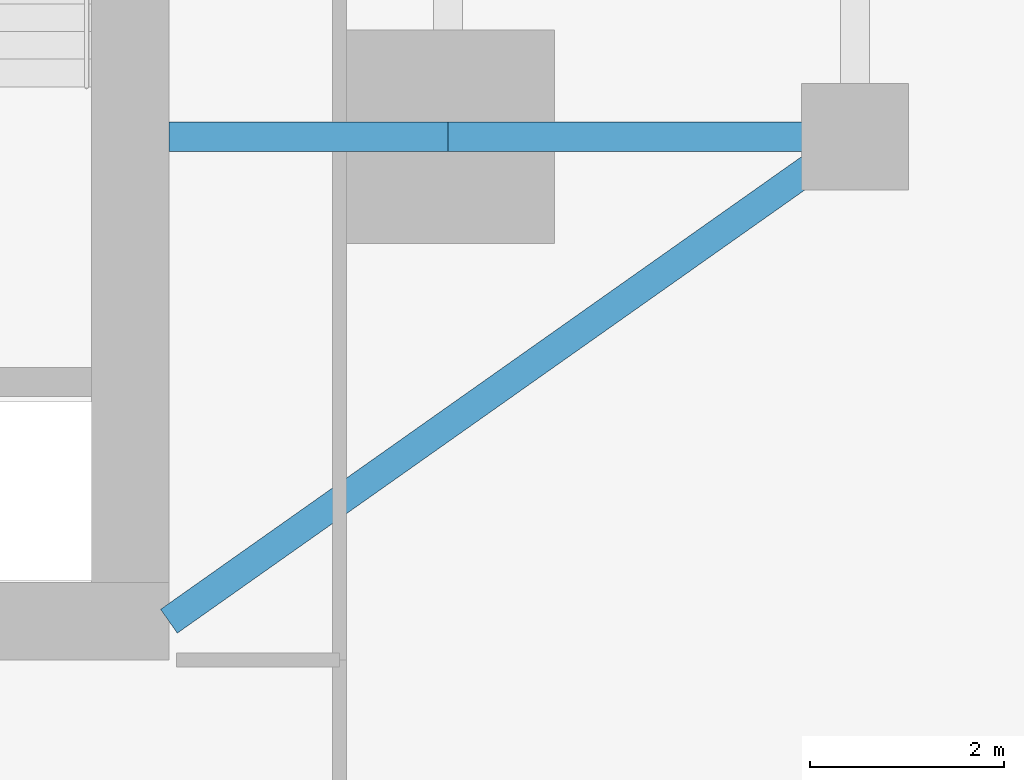
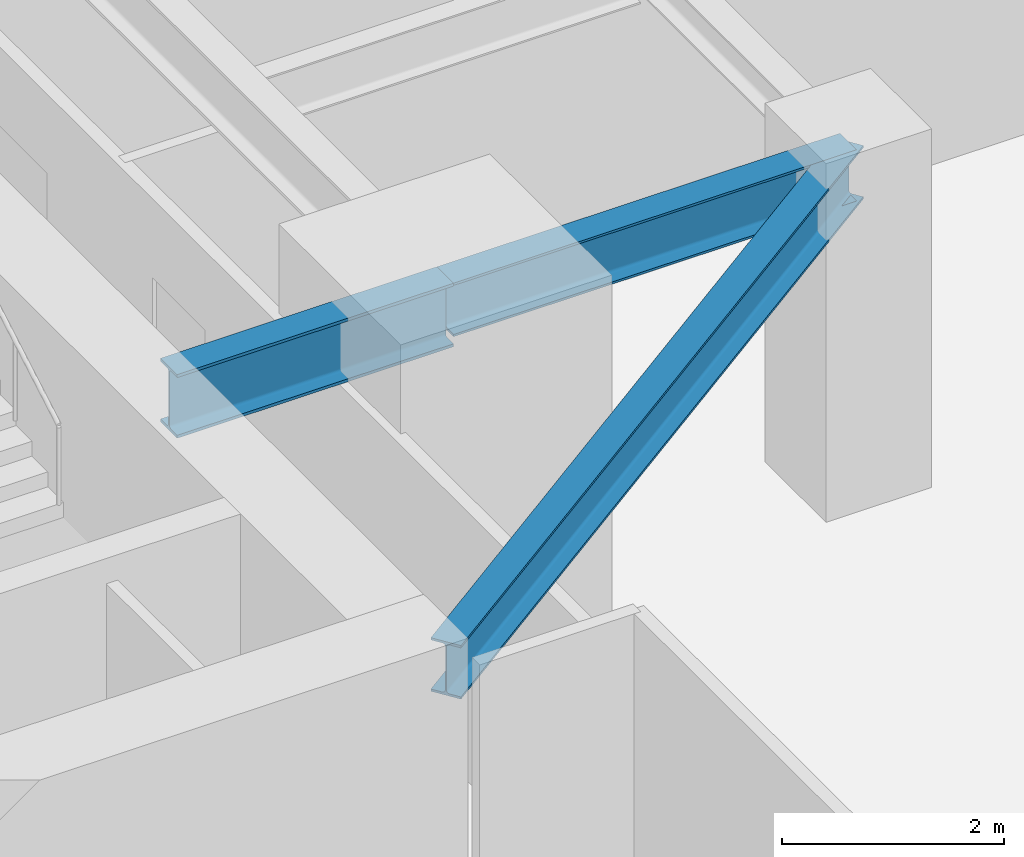
# One storey, part 13 of 30: 3 beams.
"""IFC4 building model written with IfcOpenShell, lengths in metres."""

from ifc_helpers import new_model, si_unit, direction, frame, origin, origin_2d, place, context, subcontext, project, spatial, i_section, extrude, source, transform, mapped, material, material_profile, profile_set, type_object, type_shapes, element, save


model = new_model("IFC4")

# Units and contexts
model_context = context("Model", 3, precision=1e-05, world=origin(), true_north=direction((0.0, 1.0)))
body_context = subcontext(model_context, "Body", "Model", "MODEL_VIEW")
ifc_project = project(units=[si_unit("LENGTHUNIT", "METRE"), si_unit("AREAUNIT", "SQUARE_METRE"), si_unit("VOLUMEUNIT", "CUBIC_METRE"), si_unit("PLANEANGLEUNIT", "RADIAN"), si_unit("MASSUNIT", "GRAM", prefix="KILO")], contexts=[model_context])

# Site, building, storey
site_placement = place(None, origin())
site = spatial("IfcSite", under=ifc_project, at=site_placement, CompositionType="ELEMENT")
building_placement = place(site_placement, origin())
building = spatial("IfcBuilding", under=site, at=building_placement, Name="Krantzveldt Concourse Tower", CompositionType="ELEMENT")
storey_placement = place(building_placement, frame((0.0, 0.0, 48.699951171875)))
storey = spatial("IfcBuildingStorey", under=building, at=storey_placement, Name="L11", CompositionType="ELEMENT", Elevation=48.699951171875)

# Beams
ifc_material_1 = material(Name="Steel S355J2", Category="steel")
ifc_material_profile_1 = material_profile(ifc_material_1, i_section(OverallWidth=0.300048828125, OverallDepth=0.699951171875, WebThickness=0.01708984375, FlangeThickness=0.031982421875, FilletRadius=0.027099609375, at=origin_2d()), Name="Steel S355J2", Category="steel")
ifc_profile_set_1 = profile_set([ifc_material_profile_1], Name="Steel S355J2 - HEB 700")
beam_type_1 = type_object("IfcBeamType", Name="BM-B-HEB700", PredefinedType="BEAM", material=ifc_profile_set_1)
shared_shape_1 = source(origin(), body_context, "Body", "SweptSolid", [
    extrude(i_section(OverallWidth=0.300048828125, OverallDepth=0.699951171875, WebThickness=0.01708984375, FlangeThickness=0.031982421875, FilletRadius=0.027099609375, at=origin_2d()), origin(), (0.0, 0.0, 1.0), 2.880126953125),
])
type_shapes(beam_type_1, [shared_shape_1])
beam_1_placement = place(storey_placement, frame((43.919921875, 15.89990234375, 3.320068359375), z_axis=(1.0, 0.0, 0.0), x_axis=(0.0, 1.0, 0.0)))
element("IfcBeam", 1, at=beam_1_placement, inside=storey, type_object=beam_type_1, Name="L11 Tower Girder BG-CE1", PredefinedType="BEAM", context=body_context, shape_type="MappedRepresentation", body=[
    mapped(shared_shape_1, transform((0.0, 0.0, 0.0), x_axis=(1.0, 0.0, 0.0), y_axis=(0.0, 1.0, 0.0), z_axis=(0.0, 0.0, 1.0), scale=1.0)),
])
ifc_material_2 = material(Name="Steel S355JR", Category="steel")
ifc_material_profile_2 = material_profile(ifc_material_2, i_section(OverallWidth=0.300048828125, OverallDepth=0.590087890625, WebThickness=0.012939453125, FlangeThickness=0.02490234375, FilletRadius=0.027099609375, at=origin_2d()), Name="Steel S355JR", Category="steel")
ifc_profile_set_2 = profile_set([ifc_material_profile_2], Name="Steel S355JR - HEA 600")
beam_type_2 = type_object("IfcBeamType", Name="BM-B-HEA600", PredefinedType="BEAM", material=ifc_profile_set_2)
shared_shape_2 = source(origin(), body_context, "Body", "SweptSolid", [
    extrude(i_section(OverallWidth=0.300048828125, OverallDepth=0.590087890625, WebThickness=0.012939453125, FlangeThickness=0.02490234375, FilletRadius=0.027099609375, at=origin_2d()), origin(), (0.0, 0.0, 1.0), 4.199951171875),
])
beam_2_placement = place(storey_placement, frame((46.800048828125, 15.89990234375, 3.375), z_axis=(1.0, 0.0, 0.0), x_axis=(0.0, 1.0, 0.0)))
element("IfcBeam", 2, at=beam_2_placement, inside=storey, type_object=beam_type_2, Name="L11 Tower Girder BR-RR1", PredefinedType="BEAM", context=body_context, shape_type="MappedRepresentation", body=[
    mapped(shared_shape_2, transform((0.0, 0.0, 0.0), x_axis=(1.0, 0.0, 0.0), y_axis=(0.0, 1.0, 0.0), z_axis=(0.0, 0.0, 1.0), scale=1.0)),
])
shared_shape_3 = source(origin(), body_context, "Body", "SweptSolid", [
    extrude(i_section(OverallWidth=0.300048828125, OverallDepth=0.590087890625, WebThickness=0.012939453125, FlangeThickness=0.02490234375, FilletRadius=0.027099609375, at=origin_2d()), origin(), (0.0, 0.0, 1.0), 8.667724609375),
])
type_shapes(beam_type_2, [shared_shape_2, shared_shape_3])
beam_3_placement = place(storey_placement, frame((51.0, 15.89990234375, 3.375), z_axis=(-0.81684294656, -0.576860122261, 0.0), x_axis=(0.576860122261, -0.81684294656, 0.0)))
element("IfcBeam", 3, at=beam_3_placement, inside=storey, type_object=beam_type_2, Name="L11 Tower Girder BR-CSE", PredefinedType="BEAM", context=body_context, shape_type="MappedRepresentation", body=[
    mapped(shared_shape_3, transform((0.0, 0.0, 0.0), x_axis=(1.0, 0.0, 0.0), y_axis=(0.0, 1.0, 0.0), z_axis=(0.0, 0.0, 1.0), scale=1.0)),
])

save(model, "model.ifc")
